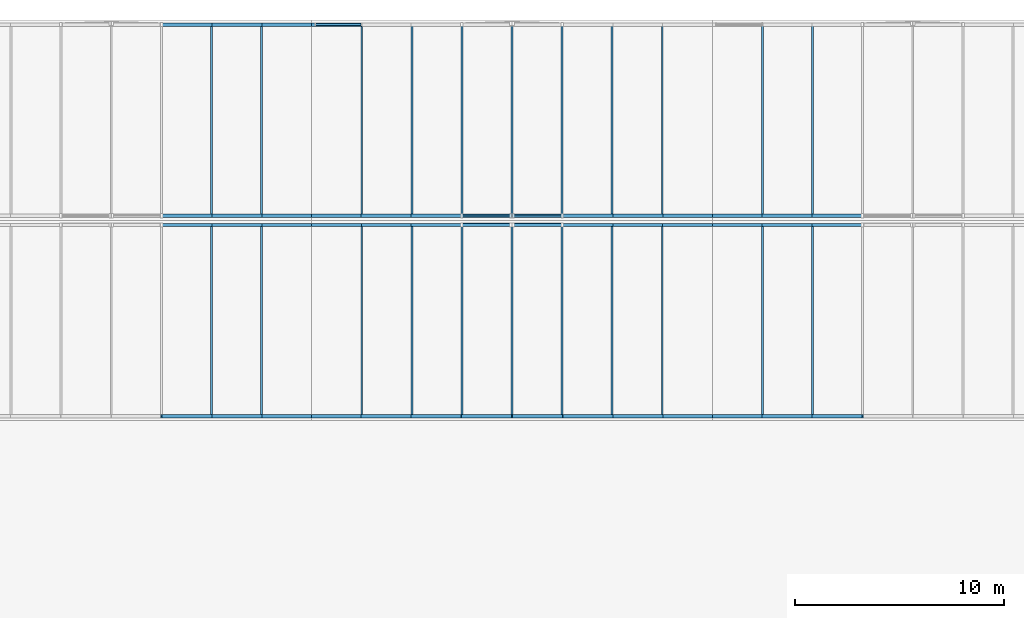
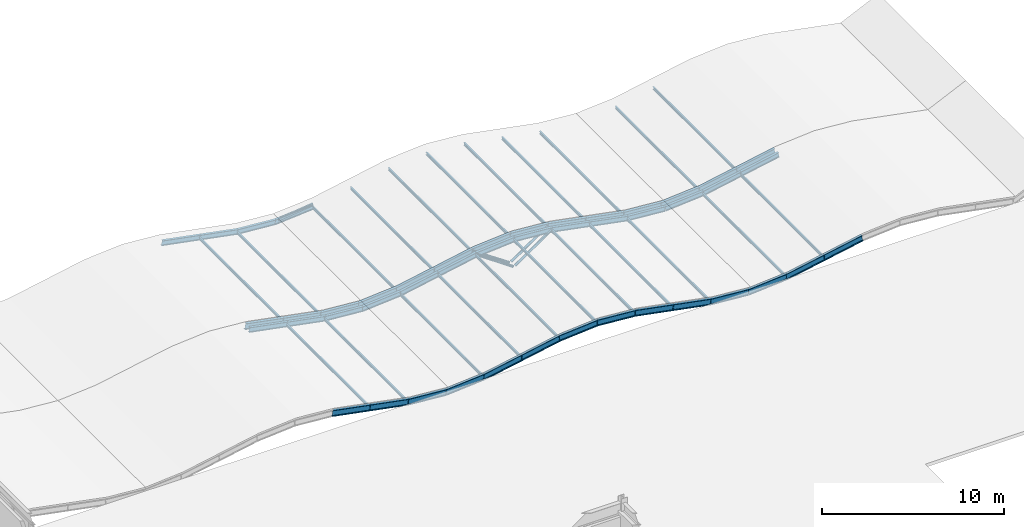
# One storey, part 129 of 170: 46 beams, 27 members.
"""IFC4 building model written with IfcOpenShell, lengths in metres."""

from ifc_helpers import new_model, si_unit, direction, frame, origin, origin_2d, place, context, subcontext, project, spatial, hollow_rectangle, hollow_circle, i_section, extrude, material, material_profile, profile_set, type_object, element, save


model = new_model("IFC4")

# Units and contexts
model_context = context("Model", 3, precision=1e-05, world=origin(), true_north=direction((0.0, 1.0)))
body_context = subcontext(model_context, "Body", "Model", "MODEL_VIEW")
ifc_project = project(units=[si_unit("LENGTHUNIT", "METRE"), si_unit("AREAUNIT", "SQUARE_METRE"), si_unit("VOLUMEUNIT", "CUBIC_METRE"), si_unit("PLANEANGLEUNIT", "RADIAN"), si_unit("MASSUNIT", "GRAM", prefix="KILO")], contexts=[model_context])

# Site, building, storey
site_placement = place(None, origin())
site = spatial("IfcSite", under=ifc_project, at=site_placement, CompositionType="ELEMENT")
building_placement = place(site_placement, origin())
building = spatial("IfcBuilding", under=site, at=building_placement, Name="Coralgate Yard Interchange", CompositionType="ELEMENT")
storey_placement = place(building_placement, frame((0.0, 0.0, 6.0)))
storey = spatial("IfcBuildingStorey", under=building, at=storey_placement, Name="L01", CompositionType="ELEMENT", Elevation=6.0)

# Beams
ifc_material_1 = material(Name="Off-white architectural structural steel S355J2", Category="steel")
ifc_material_profile_1 = material_profile(ifc_material_1, i_section(OverallWidth=0.179931640625, OverallDepth=0.39990234375, WebThickness=0.008544921875, FlangeThickness=0.013427734375, FilletRadius=0.02099609375, at=origin_2d()), Name="IPE 400")
ifc_profile_set_1 = profile_set([ifc_material_profile_1], Name="Off-white architectural structural steel S355J2")
beam_type_1 = type_object("IfcBeamType", Name="BM-WR-1", PredefinedType="BEAM", material=ifc_profile_set_1)
beam_1_placement = place(storey_placement, frame((127.199951171875, 96.219970703125, 0.90966796875), z_axis=(0.982146552954, 0.0, -0.188117379637), x_axis=(0.0, 1.0, 0.0)))
element("IfcBeam", 1, at=beam_1_placement, inside=storey, type_object=beam_type_1, Name="Wave-shell steel arch rib R1-W5-S6", PredefinedType="BEAM", context=body_context, shape_type="SweptSolid", body=[
    extrude(i_section(OverallWidth=0.179931640625, OverallDepth=0.39990234375, WebThickness=0.008544921875, FlangeThickness=0.013427734375, FilletRadius=0.02099609375, at=origin_2d()), origin(), (0.0, 0.0, 1.0), 2.44384765625),
])
beam_2_placement = place(storey_placement, frame((129.60009765625, 96.219970703125, 0.449951171875), z_axis=(0.98216147419, 0.0, -0.188039460267), x_axis=(0.0, 1.0, 0.0)))
element("IfcBeam", 2, at=beam_2_placement, inside=storey, type_object=beam_type_1, Name="Wave-shell steel arch rib R1-W5-S7", PredefinedType="BEAM", context=body_context, shape_type="SweptSolid", body=[
    extrude(i_section(OverallWidth=0.179931640625, OverallDepth=0.39990234375, WebThickness=0.008544921875, FlangeThickness=0.013427734375, FilletRadius=0.02099609375, at=origin_2d()), origin(), (0.0, 0.0, 1.0), 2.443603515625),
])
beam_3_placement = place(storey_placement, frame((132.0, 96.219970703125, -0.009521484375), z_axis=(0.996866661985, 0.0, -0.079100304817), x_axis=(0.0, 1.0, 0.0)))
element("IfcBeam", 3, at=beam_3_placement, inside=storey, type_object=beam_type_1, Name="Wave-shell steel arch rib R1-W5-S8", PredefinedType="BEAM", context=body_context, shape_type="SweptSolid", body=[
    extrude(i_section(OverallWidth=0.179931640625, OverallDepth=0.39990234375, WebThickness=0.008544921875, FlangeThickness=0.013427734375, FilletRadius=0.02099609375, at=origin_2d()), origin(), (0.0, 0.0, 1.0), 2.407470703125),
])
beam_4_placement = place(storey_placement, frame((134.39990234375, 96.219970703125, -0.199951171875), z_axis=(0.996867296401, 0.0, 0.079092309144), x_axis=(0.0, 1.0, 0.0)))
element("IfcBeam", 4, at=beam_4_placement, inside=storey, type_object=beam_type_1, Name="Wave-shell steel arch rib R1-W6-S1", PredefinedType="BEAM", context=body_context, shape_type="SweptSolid", body=[
    extrude(i_section(OverallWidth=0.179931640625, OverallDepth=0.39990234375, WebThickness=0.008544921875, FlangeThickness=0.013427734375, FilletRadius=0.02099609375, at=origin_2d()), origin(), (0.0, 0.0, 1.0), 2.40771484375),
])
beam_5_placement = place(storey_placement, frame((136.800048828125, 96.219970703125, -0.009521484375), z_axis=(0.98216147419, 0.0, 0.188039460267), x_axis=(0.0, 1.0, 0.0)))
element("IfcBeam", 5, at=beam_5_placement, inside=storey, type_object=beam_type_1, Name="Wave-shell steel arch rib R1-W6-S2", PredefinedType="BEAM", context=body_context, shape_type="SweptSolid", body=[
    extrude(i_section(OverallWidth=0.179931640625, OverallDepth=0.39990234375, WebThickness=0.008544921875, FlangeThickness=0.013427734375, FilletRadius=0.02099609375, at=origin_2d()), origin(), (0.0, 0.0, 1.0), 2.443603515625),
])
beam_6_placement = place(storey_placement, frame((139.199951171875, 96.219970703125, 0.449951171875), z_axis=(0.982146552954, 0.0, 0.188117379637), x_axis=(0.0, 1.0, 0.0)))
element("IfcBeam", 6, at=beam_6_placement, inside=storey, type_object=beam_type_1, Name="Wave-shell steel arch rib R1-W6-S3", PredefinedType="BEAM", context=body_context, shape_type="SweptSolid", body=[
    extrude(i_section(OverallWidth=0.179931640625, OverallDepth=0.39990234375, WebThickness=0.008544921875, FlangeThickness=0.013427734375, FilletRadius=0.02099609375, at=origin_2d()), origin(), (0.0, 0.0, 1.0), 2.44384765625),
])
for number, where, z_axis, x_axis, name in (
    (7, (141.60009765625, 96.219970703125, 0.90966796875), (0.996866661985, 0.0, 0.079100304817), (0.0, 1.0, 0.0), "Wave-shell steel arch rib R1-W6-S4"),
    (8, (144.0, 96.219970703125, 1.10009765625), (0.996866661985, 0.0, -0.079100304817), (0.0, 1.0, 0.0), "Wave-shell steel arch rib R1-W6-S5"),
):
    element("IfcBeam", number, at=place(storey_placement, frame(where, z_axis=z_axis, x_axis=x_axis)), inside=storey, type_object=beam_type_1, Name=name, PredefinedType="BEAM", context=body_context, shape_type="SweptSolid", body=[
        extrude(i_section(OverallWidth=0.179931640625, OverallDepth=0.39990234375, WebThickness=0.008544921875, FlangeThickness=0.013427734375, FilletRadius=0.02099609375, at=origin_2d()), origin(), (0.0, 0.0, 1.0), 2.407470703125),
    ])
beam_7_placement = place(storey_placement, frame((146.39990234375, 96.219970703125, 0.90966796875), z_axis=(0.982146552954, 0.0, -0.188117379637), x_axis=(0.0, 1.0, 0.0)))
element("IfcBeam", 9, at=beam_7_placement, inside=storey, type_object=beam_type_1, Name="Wave-shell steel arch rib R1-W6-S6", PredefinedType="BEAM", context=body_context, shape_type="SweptSolid", body=[
    extrude(i_section(OverallWidth=0.179931640625, OverallDepth=0.39990234375, WebThickness=0.008544921875, FlangeThickness=0.013427734375, FilletRadius=0.02099609375, at=origin_2d()), origin(), (0.0, 0.0, 1.0), 2.44384765625),
])
beam_8_placement = place(storey_placement, frame((148.800048828125, 96.219970703125, 0.449951171875), z_axis=(0.98216147419, 0.0, -0.188039460267), x_axis=(0.0, 1.0, 0.0)))
element("IfcBeam", 10, at=beam_8_placement, inside=storey, type_object=beam_type_1, Name="Wave-shell steel arch rib R1-W6-S7", PredefinedType="BEAM", context=body_context, shape_type="SweptSolid", body=[
    extrude(i_section(OverallWidth=0.179931640625, OverallDepth=0.39990234375, WebThickness=0.008544921875, FlangeThickness=0.013427734375, FilletRadius=0.02099609375, at=origin_2d()), origin(), (0.0, 0.0, 1.0), 2.443603515625),
])
beam_9_placement = place(storey_placement, frame((151.199951171875, 96.219970703125, -0.009521484375), z_axis=(0.996867296401, 0.0, -0.079092309144), x_axis=(0.0, 1.0, 0.0)))
element("IfcBeam", 11, at=beam_9_placement, inside=storey, type_object=beam_type_1, Name="Wave-shell steel arch rib R1-W6-S8", PredefinedType="BEAM", context=body_context, shape_type="SweptSolid", body=[
    extrude(i_section(OverallWidth=0.179931640625, OverallDepth=0.39990234375, WebThickness=0.008544921875, FlangeThickness=0.013427734375, FilletRadius=0.02099609375, at=origin_2d()), origin(), (0.0, 0.0, 1.0), 2.40771484375),
])
beam_10_placement = place(storey_placement, frame((153.60009765625, 96.219970703125, -0.199951171875), z_axis=(0.996866661985, 0.0, 0.079100304817), x_axis=(0.0, 1.0, 0.0)))
element("IfcBeam", 12, at=beam_10_placement, inside=storey, type_object=beam_type_1, Name="Wave-shell steel arch rib R1-W7-S1", PredefinedType="BEAM", context=body_context, shape_type="SweptSolid", body=[
    extrude(i_section(OverallWidth=0.179931640625, OverallDepth=0.39990234375, WebThickness=0.008544921875, FlangeThickness=0.013427734375, FilletRadius=0.02099609375, at=origin_2d()), origin(), (0.0, 0.0, 1.0), 2.407470703125),
])
beam_11_placement = place(storey_placement, frame((156.0, 96.219970703125, -0.009521484375), z_axis=(0.98216147419, 0.0, 0.188039460267), x_axis=(0.0, 1.0, 0.0)))
element("IfcBeam", 13, at=beam_11_placement, inside=storey, type_object=beam_type_1, Name="Wave-shell steel arch rib R1-W7-S2", PredefinedType="BEAM", context=body_context, shape_type="SweptSolid", body=[
    extrude(i_section(OverallWidth=0.179931640625, OverallDepth=0.39990234375, WebThickness=0.008544921875, FlangeThickness=0.013427734375, FilletRadius=0.02099609375, at=origin_2d()), origin(), (0.0, 0.0, 1.0), 2.443603515625),
])
for number, where, z_axis, x_axis, name in (
    (14, (158.39990234375, 96.219970703125, 0.449951171875), (0.982146552954, 0.0, 0.188117379637), (0.0, 1.0, 0.0), "Wave-shell steel arch rib R1-W7-S3"),
    (15, (127.199951171875, 105.820068359375, 0.90966796875), (0.982146552954, 0.0, -0.188117379637), (0.0, 1.0, 0.0), "Wave-shell steel arch rib R2-W5-S6"),
):
    element("IfcBeam", number, at=place(storey_placement, frame(where, z_axis=z_axis, x_axis=x_axis)), inside=storey, type_object=beam_type_1, Name=name, PredefinedType="BEAM", context=body_context, shape_type="SweptSolid", body=[
        extrude(i_section(OverallWidth=0.179931640625, OverallDepth=0.39990234375, WebThickness=0.008544921875, FlangeThickness=0.013427734375, FilletRadius=0.02099609375, at=origin_2d()), origin(), (0.0, 0.0, 1.0), 2.44384765625),
    ])
beam_12_placement = place(storey_placement, frame((129.60009765625, 105.820068359375, 0.449951171875), z_axis=(0.98216147419, 0.0, -0.188039460267), x_axis=(0.0, 1.0, 0.0)))
element("IfcBeam", 16, at=beam_12_placement, inside=storey, type_object=beam_type_1, Name="Wave-shell steel arch rib R2-W5-S7", PredefinedType="BEAM", context=body_context, shape_type="SweptSolid", body=[
    extrude(i_section(OverallWidth=0.179931640625, OverallDepth=0.39990234375, WebThickness=0.008544921875, FlangeThickness=0.013427734375, FilletRadius=0.02099609375, at=origin_2d()), origin(), (0.0, 0.0, 1.0), 2.443603515625),
])
beam_13_placement = place(storey_placement, frame((132.0, 105.820068359375, -0.009521484375), z_axis=(0.996866661985, 0.0, -0.079100304817), x_axis=(0.0, 1.0, 0.0)))
element("IfcBeam", 17, at=beam_13_placement, inside=storey, type_object=beam_type_1, Name="Wave-shell steel arch rib R2-W5-S8", PredefinedType="BEAM", context=body_context, shape_type="SweptSolid", body=[
    extrude(i_section(OverallWidth=0.179931640625, OverallDepth=0.39990234375, WebThickness=0.008544921875, FlangeThickness=0.013427734375, FilletRadius=0.02099609375, at=origin_2d()), origin(), (0.0, 0.0, 1.0), 2.407470703125),
])
beam_14_placement = place(storey_placement, frame((134.39990234375, 105.820068359375, -0.199951171875), z_axis=(0.996867296401, 0.0, 0.079092309144), x_axis=(0.0, 1.0, 0.0)))
element("IfcBeam", 18, at=beam_14_placement, inside=storey, type_object=beam_type_1, Name="Wave-shell steel arch rib R2-W6-S1", PredefinedType="BEAM", context=body_context, shape_type="SweptSolid", body=[
    extrude(i_section(OverallWidth=0.179931640625, OverallDepth=0.39990234375, WebThickness=0.008544921875, FlangeThickness=0.013427734375, FilletRadius=0.02099609375, at=origin_2d()), origin(), (0.0, 0.0, 1.0), 2.40771484375),
])
beam_15_placement = place(storey_placement, frame((136.800048828125, 105.820068359375, -0.009521484375), z_axis=(0.98216147419, 0.0, 0.188039460267), x_axis=(0.0, 1.0, 0.0)))
element("IfcBeam", 19, at=beam_15_placement, inside=storey, type_object=beam_type_1, Name="Wave-shell steel arch rib R2-W6-S2", PredefinedType="BEAM", context=body_context, shape_type="SweptSolid", body=[
    extrude(i_section(OverallWidth=0.179931640625, OverallDepth=0.39990234375, WebThickness=0.008544921875, FlangeThickness=0.013427734375, FilletRadius=0.02099609375, at=origin_2d()), origin(), (0.0, 0.0, 1.0), 2.443603515625),
])
beam_16_placement = place(storey_placement, frame((139.199951171875, 105.820068359375, 0.449951171875), z_axis=(0.982146552954, 0.0, 0.188117379637), x_axis=(0.0, 1.0, 0.0)))
element("IfcBeam", 20, at=beam_16_placement, inside=storey, type_object=beam_type_1, Name="Wave-shell steel arch rib R2-W6-S3", PredefinedType="BEAM", context=body_context, shape_type="SweptSolid", body=[
    extrude(i_section(OverallWidth=0.179931640625, OverallDepth=0.39990234375, WebThickness=0.008544921875, FlangeThickness=0.013427734375, FilletRadius=0.02099609375, at=origin_2d()), origin(), (0.0, 0.0, 1.0), 2.44384765625),
])
for number, where, z_axis, x_axis, name in (
    (21, (141.60009765625, 105.820068359375, 0.90966796875), (0.996866661985, 0.0, 0.079100304817), (0.0, 1.0, 0.0), "Wave-shell steel arch rib R2-W6-S4"),
    (22, (144.0, 105.820068359375, 1.10009765625), (0.996866661985, 0.0, -0.079100304817), (0.0, 1.0, 0.0), "Wave-shell steel arch rib R2-W6-S5"),
):
    element("IfcBeam", number, at=place(storey_placement, frame(where, z_axis=z_axis, x_axis=x_axis)), inside=storey, type_object=beam_type_1, Name=name, PredefinedType="BEAM", context=body_context, shape_type="SweptSolid", body=[
        extrude(i_section(OverallWidth=0.179931640625, OverallDepth=0.39990234375, WebThickness=0.008544921875, FlangeThickness=0.013427734375, FilletRadius=0.02099609375, at=origin_2d()), origin(), (0.0, 0.0, 1.0), 2.407470703125),
    ])
beam_17_placement = place(storey_placement, frame((146.39990234375, 105.820068359375, 0.90966796875), z_axis=(0.982146552954, 0.0, -0.188117379637), x_axis=(0.0, 1.0, 0.0)))
element("IfcBeam", 23, at=beam_17_placement, inside=storey, type_object=beam_type_1, Name="Wave-shell steel arch rib R2-W6-S6", PredefinedType="BEAM", context=body_context, shape_type="SweptSolid", body=[
    extrude(i_section(OverallWidth=0.179931640625, OverallDepth=0.39990234375, WebThickness=0.008544921875, FlangeThickness=0.013427734375, FilletRadius=0.02099609375, at=origin_2d()), origin(), (0.0, 0.0, 1.0), 2.44384765625),
])
beam_18_placement = place(storey_placement, frame((148.800048828125, 105.820068359375, 0.449951171875), z_axis=(0.98216147419, 0.0, -0.188039460267), x_axis=(0.0, 1.0, 0.0)))
element("IfcBeam", 24, at=beam_18_placement, inside=storey, type_object=beam_type_1, Name="Wave-shell steel arch rib R2-W6-S7", PredefinedType="BEAM", context=body_context, shape_type="SweptSolid", body=[
    extrude(i_section(OverallWidth=0.179931640625, OverallDepth=0.39990234375, WebThickness=0.008544921875, FlangeThickness=0.013427734375, FilletRadius=0.02099609375, at=origin_2d()), origin(), (0.0, 0.0, 1.0), 2.443603515625),
])
beam_19_placement = place(storey_placement, frame((151.199951171875, 105.820068359375, -0.009521484375), z_axis=(0.996867296401, 0.0, -0.079092309144), x_axis=(0.0, 1.0, 0.0)))
element("IfcBeam", 25, at=beam_19_placement, inside=storey, type_object=beam_type_1, Name="Wave-shell steel arch rib R2-W6-S8", PredefinedType="BEAM", context=body_context, shape_type="SweptSolid", body=[
    extrude(i_section(OverallWidth=0.179931640625, OverallDepth=0.39990234375, WebThickness=0.008544921875, FlangeThickness=0.013427734375, FilletRadius=0.02099609375, at=origin_2d()), origin(), (0.0, 0.0, 1.0), 2.40771484375),
])
beam_20_placement = place(storey_placement, frame((153.60009765625, 105.820068359375, -0.199951171875), z_axis=(0.996866661985, 0.0, 0.079100304817), x_axis=(0.0, 1.0, 0.0)))
element("IfcBeam", 26, at=beam_20_placement, inside=storey, type_object=beam_type_1, Name="Wave-shell steel arch rib R2-W7-S1", PredefinedType="BEAM", context=body_context, shape_type="SweptSolid", body=[
    extrude(i_section(OverallWidth=0.179931640625, OverallDepth=0.39990234375, WebThickness=0.008544921875, FlangeThickness=0.013427734375, FilletRadius=0.02099609375, at=origin_2d()), origin(), (0.0, 0.0, 1.0), 2.407470703125),
])
beam_21_placement = place(storey_placement, frame((156.0, 105.820068359375, -0.009521484375), z_axis=(0.98216147419, 0.0, 0.188039460267), x_axis=(0.0, 1.0, 0.0)))
element("IfcBeam", 27, at=beam_21_placement, inside=storey, type_object=beam_type_1, Name="Wave-shell steel arch rib R2-W7-S2", PredefinedType="BEAM", context=body_context, shape_type="SweptSolid", body=[
    extrude(i_section(OverallWidth=0.179931640625, OverallDepth=0.39990234375, WebThickness=0.008544921875, FlangeThickness=0.013427734375, FilletRadius=0.02099609375, at=origin_2d()), origin(), (0.0, 0.0, 1.0), 2.443603515625),
])
beam_22_placement = place(storey_placement, frame((158.39990234375, 105.820068359375, 0.449951171875), z_axis=(0.982146552954, 0.0, 0.188117379637), x_axis=(0.0, 1.0, 0.0)))
element("IfcBeam", 28, at=beam_22_placement, inside=storey, type_object=beam_type_1, Name="Wave-shell steel arch rib R2-W7-S3", PredefinedType="BEAM", context=body_context, shape_type="SweptSolid", body=[
    extrude(i_section(OverallWidth=0.179931640625, OverallDepth=0.39990234375, WebThickness=0.008544921875, FlangeThickness=0.013427734375, FilletRadius=0.02099609375, at=origin_2d()), origin(), (0.0, 0.0, 1.0), 2.44384765625),
])
ifc_material_profile_2 = material_profile(ifc_material_1, i_section(OverallWidth=0.159912109375, OverallDepth=0.330078125, WebThickness=0.007568359375, FlangeThickness=0.011474609375, FilletRadius=0.01806640625, at=origin_2d()), Name="IPE 330")
ifc_profile_set_2 = profile_set([ifc_material_profile_2], Name="Off-white architectural structural steel S355J2")
beam_type_2 = type_object("IfcBeamType", Name="BM-WR-2", PredefinedType="BEAM", material=ifc_profile_set_2)
beam_23_placement = place(storey_placement, frame((127.199951171875, 105.3798828125, 0.944580078125), z_axis=(0.982165006537, 0.0, -0.188021009287), x_axis=(0.0, 1.0, 0.0)))
element("IfcBeam", 29, at=beam_23_placement, inside=storey, type_object=beam_type_2, Name="Wave-shell steel arch rib R1-W5-N6", PredefinedType="BEAM", context=body_context, shape_type="SweptSolid", body=[
    extrude(i_section(OverallWidth=0.159912109375, OverallDepth=0.330078125, WebThickness=0.007568359375, FlangeThickness=0.011474609375, FilletRadius=0.01806640625, at=origin_2d()), origin(), (0.0, 0.0, 1.0), 2.44384765625),
])
beam_24_placement = place(storey_placement, frame((129.60009765625, 105.3798828125, 0.485107421875), z_axis=(0.98214301705, 0.0, -0.18813583938), x_axis=(0.0, 1.0, 0.0)))
element("IfcBeam", 30, at=beam_24_placement, inside=storey, type_object=beam_type_2, Name="Wave-shell steel arch rib R1-W5-N7", PredefinedType="BEAM", context=body_context, shape_type="SweptSolid", body=[
    extrude(i_section(OverallWidth=0.159912109375, OverallDepth=0.330078125, WebThickness=0.007568359375, FlangeThickness=0.011474609375, FilletRadius=0.01806640625, at=origin_2d()), origin(), (0.0, 0.0, 1.0), 2.443603515625),
])
beam_25_placement = place(storey_placement, frame((132.0, 105.3798828125, 0.025390625), z_axis=(0.996866661985, 0.0, -0.079100304817), x_axis=(0.0, 1.0, 0.0)))
element("IfcBeam", 31, at=beam_25_placement, inside=storey, type_object=beam_type_2, Name="Wave-shell steel arch rib R1-W5-N8", PredefinedType="BEAM", context=body_context, shape_type="SweptSolid", body=[
    extrude(i_section(OverallWidth=0.159912109375, OverallDepth=0.330078125, WebThickness=0.007568359375, FlangeThickness=0.011474609375, FilletRadius=0.01806640625, at=origin_2d()), origin(), (0.0, 0.0, 1.0), 2.407470703125),
])
beam_26_placement = place(storey_placement, frame((134.39990234375, 105.3798828125, -0.1650390625), z_axis=(0.996867296401, 0.0, 0.079092309144), x_axis=(0.0, 1.0, 0.0)))
element("IfcBeam", 32, at=beam_26_placement, inside=storey, type_object=beam_type_2, Name="Wave-shell steel arch rib R1-W6-N1", PredefinedType="BEAM", context=body_context, shape_type="SweptSolid", body=[
    extrude(i_section(OverallWidth=0.159912109375, OverallDepth=0.330078125, WebThickness=0.007568359375, FlangeThickness=0.011474609375, FilletRadius=0.01806640625, at=origin_2d()), origin(), (0.0, 0.0, 1.0), 2.40771484375),
])
beam_27_placement = place(storey_placement, frame((136.800048828125, 105.3798828125, 0.025390625), z_axis=(0.98214301705, 0.0, 0.18813583938), x_axis=(0.0, 1.0, 0.0)))
element("IfcBeam", 33, at=beam_27_placement, inside=storey, type_object=beam_type_2, Name="Wave-shell steel arch rib R1-W6-N2", PredefinedType="BEAM", context=body_context, shape_type="SweptSolid", body=[
    extrude(i_section(OverallWidth=0.159912109375, OverallDepth=0.330078125, WebThickness=0.007568359375, FlangeThickness=0.011474609375, FilletRadius=0.01806640625, at=origin_2d()), origin(), (0.0, 0.0, 1.0), 2.443603515625),
])
beam_28_placement = place(storey_placement, frame((139.199951171875, 105.3798828125, 0.485107421875), z_axis=(0.982165006537, 0.0, 0.188021009287), x_axis=(0.0, 1.0, 0.0)))
element("IfcBeam", 34, at=beam_28_placement, inside=storey, type_object=beam_type_2, Name="Wave-shell steel arch rib R1-W6-N3", PredefinedType="BEAM", context=body_context, shape_type="SweptSolid", body=[
    extrude(i_section(OverallWidth=0.159912109375, OverallDepth=0.330078125, WebThickness=0.007568359375, FlangeThickness=0.011474609375, FilletRadius=0.01806640625, at=origin_2d()), origin(), (0.0, 0.0, 1.0), 2.44384765625),
])
for number, where, z_axis, x_axis, name in (
    (35, (141.60009765625, 105.3798828125, 0.944580078125), (0.996866661985, 0.0, 0.079100304817), (0.0, 1.0, 0.0), "Wave-shell steel arch rib R1-W6-N4"),
    (36, (144.0, 105.3798828125, 1.135009765625), (0.996866661985, 0.0, -0.079100304817), (0.0, 1.0, 0.0), "Wave-shell steel arch rib R1-W6-N5"),
):
    element("IfcBeam", number, at=place(storey_placement, frame(where, z_axis=z_axis, x_axis=x_axis)), inside=storey, type_object=beam_type_2, Name=name, PredefinedType="BEAM", context=body_context, shape_type="SweptSolid", body=[
        extrude(i_section(OverallWidth=0.159912109375, OverallDepth=0.330078125, WebThickness=0.007568359375, FlangeThickness=0.011474609375, FilletRadius=0.01806640625, at=origin_2d()), origin(), (0.0, 0.0, 1.0), 2.407470703125),
    ])
beam_29_placement = place(storey_placement, frame((146.39990234375, 105.3798828125, 0.944580078125), z_axis=(0.982165006537, 0.0, -0.188021009287), x_axis=(0.0, 1.0, 0.0)))
element("IfcBeam", 37, at=beam_29_placement, inside=storey, type_object=beam_type_2, Name="Wave-shell steel arch rib R1-W6-N6", PredefinedType="BEAM", context=body_context, shape_type="SweptSolid", body=[
    extrude(i_section(OverallWidth=0.159912109375, OverallDepth=0.330078125, WebThickness=0.007568359375, FlangeThickness=0.011474609375, FilletRadius=0.01806640625, at=origin_2d()), origin(), (0.0, 0.0, 1.0), 2.44384765625),
])
beam_30_placement = place(storey_placement, frame((148.800048828125, 105.3798828125, 0.485107421875), z_axis=(0.98214301705, 0.0, -0.18813583938), x_axis=(0.0, 1.0, 0.0)))
element("IfcBeam", 38, at=beam_30_placement, inside=storey, type_object=beam_type_2, Name="Wave-shell steel arch rib R1-W6-N7", PredefinedType="BEAM", context=body_context, shape_type="SweptSolid", body=[
    extrude(i_section(OverallWidth=0.159912109375, OverallDepth=0.330078125, WebThickness=0.007568359375, FlangeThickness=0.011474609375, FilletRadius=0.01806640625, at=origin_2d()), origin(), (0.0, 0.0, 1.0), 2.443603515625),
])
beam_31_placement = place(storey_placement, frame((151.199951171875, 105.3798828125, 0.025390625), z_axis=(0.996867296401, 0.0, -0.079092309144), x_axis=(0.0, 1.0, 0.0)))
element("IfcBeam", 39, at=beam_31_placement, inside=storey, type_object=beam_type_2, Name="Wave-shell steel arch rib R1-W6-N8", PredefinedType="BEAM", context=body_context, shape_type="SweptSolid", body=[
    extrude(i_section(OverallWidth=0.159912109375, OverallDepth=0.330078125, WebThickness=0.007568359375, FlangeThickness=0.011474609375, FilletRadius=0.01806640625, at=origin_2d()), origin(), (0.0, 0.0, 1.0), 2.40771484375),
])
beam_32_placement = place(storey_placement, frame((153.60009765625, 105.3798828125, -0.1650390625), z_axis=(0.996866661985, 0.0, 0.079100304817), x_axis=(0.0, 1.0, 0.0)))
element("IfcBeam", 40, at=beam_32_placement, inside=storey, type_object=beam_type_2, Name="Wave-shell steel arch rib R1-W7-N1", PredefinedType="BEAM", context=body_context, shape_type="SweptSolid", body=[
    extrude(i_section(OverallWidth=0.159912109375, OverallDepth=0.330078125, WebThickness=0.007568359375, FlangeThickness=0.011474609375, FilletRadius=0.01806640625, at=origin_2d()), origin(), (0.0, 0.0, 1.0), 2.407470703125),
])
beam_33_placement = place(storey_placement, frame((156.0, 105.3798828125, 0.025390625), z_axis=(0.98214301705, 0.0, 0.18813583938), x_axis=(0.0, 1.0, 0.0)))
element("IfcBeam", 41, at=beam_33_placement, inside=storey, type_object=beam_type_2, Name="Wave-shell steel arch rib R1-W7-N2", PredefinedType="BEAM", context=body_context, shape_type="SweptSolid", body=[
    extrude(i_section(OverallWidth=0.159912109375, OverallDepth=0.330078125, WebThickness=0.007568359375, FlangeThickness=0.011474609375, FilletRadius=0.01806640625, at=origin_2d()), origin(), (0.0, 0.0, 1.0), 2.443603515625),
])
for number, where, z_axis, x_axis, name in (
    (42, (158.39990234375, 105.3798828125, 0.485107421875), (0.982165006537, 0.0, 0.188021009287), (0.0, 1.0, 0.0), "Wave-shell steel arch rib R1-W7-N3"),
    (43, (127.199951171875, 114.97998046875, 0.944580078125), (0.982165006537, 0.0, -0.188021009287), (0.0, 1.0, 0.0), "Wave-shell steel arch rib R2-W5-N6"),
):
    element("IfcBeam", number, at=place(storey_placement, frame(where, z_axis=z_axis, x_axis=x_axis)), inside=storey, type_object=beam_type_2, Name=name, PredefinedType="BEAM", context=body_context, shape_type="SweptSolid", body=[
        extrude(i_section(OverallWidth=0.159912109375, OverallDepth=0.330078125, WebThickness=0.007568359375, FlangeThickness=0.011474609375, FilletRadius=0.01806640625, at=origin_2d()), origin(), (0.0, 0.0, 1.0), 2.44384765625),
    ])
beam_34_placement = place(storey_placement, frame((129.60009765625, 114.97998046875, 0.485107421875), z_axis=(0.98214301705, 0.0, -0.18813583938), x_axis=(0.0, 1.0, 0.0)))
element("IfcBeam", 44, at=beam_34_placement, inside=storey, type_object=beam_type_2, Name="Wave-shell steel arch rib R2-W5-N7", PredefinedType="BEAM", context=body_context, shape_type="SweptSolid", body=[
    extrude(i_section(OverallWidth=0.159912109375, OverallDepth=0.330078125, WebThickness=0.007568359375, FlangeThickness=0.011474609375, FilletRadius=0.01806640625, at=origin_2d()), origin(), (0.0, 0.0, 1.0), 2.443603515625),
])
beam_35_placement = place(storey_placement, frame((132.0, 114.97998046875, 0.025390625), z_axis=(0.996866661985, 0.0, -0.079100304817), x_axis=(0.0, 1.0, 0.0)))
element("IfcBeam", 45, at=beam_35_placement, inside=storey, type_object=beam_type_2, Name="Wave-shell steel arch rib R2-W5-N8", PredefinedType="BEAM", context=body_context, shape_type="SweptSolid", body=[
    extrude(i_section(OverallWidth=0.159912109375, OverallDepth=0.330078125, WebThickness=0.007568359375, FlangeThickness=0.011474609375, FilletRadius=0.01806640625, at=origin_2d()), origin(), (0.0, 0.0, 1.0), 2.407470703125),
])
beam_36_placement = place(storey_placement, frame((134.39990234375, 114.97998046875, -0.1650390625), z_axis=(0.996867296401, 0.0, 0.079092309144), x_axis=(0.0, 1.0, 0.0)))
element("IfcBeam", 46, at=beam_36_placement, inside=storey, type_object=beam_type_2, Name="Wave-shell steel arch rib R2-W6-N1", PredefinedType="BEAM", context=body_context, shape_type="SweptSolid", body=[
    extrude(i_section(OverallWidth=0.159912109375, OverallDepth=0.330078125, WebThickness=0.007568359375, FlangeThickness=0.011474609375, FilletRadius=0.01806640625, at=origin_2d()), origin(), (0.0, 0.0, 1.0), 2.40771484375),
])

# Members
ifc_material_2 = material(Name="Yellow-ochre weather-coated structural steel S355J2", Category="steel")
ifc_material_profile_3 = material_profile(ifc_material_2, hollow_circle(Radius=0.084228515625, WallThickness=0.008056640625, at=origin_2d()), Name="CHS 168.3x8")
ifc_profile_set_3 = profile_set([ifc_material_profile_3], Name="Yellow-ochre weather-coated structural steel S355J2")
member_type_1 = type_object("IfcMemberType", Name="MB-HG-2", PredefinedType="STRUT", material=ifc_profile_set_3)
for number, where, z_axis, x_axis, name in (
    (47, (143.93994140625, 105.3798828125, -0.679931640625), (-0.821432424161, 0.0, 0.570305858761), (0.0, -1.0, 0.0), "Wave-shell inclined V-strut WVBR-R1-W6-N-L"),
    (48, (144.06005859375, 105.3798828125, -0.679931640625), (0.821432424161, 0.0, 0.570305858761), (0.0, 1.0, 0.0), "Wave-shell inclined V-strut WVBR-R1-W6-N-R"),
):
    element("IfcMember", number, at=place(storey_placement, frame(where, z_axis=z_axis, x_axis=x_axis)), inside=storey, type_object=member_type_1, Name=name, PredefinedType="STRUT", context=body_context, shape_type="SweptSolid", body=[
        extrude(hollow_circle(Radius=0.084228515625, WallThickness=0.008056640625, at=origin_2d()), origin(), (0.0, 0.0, 1.0), 2.848388671875),
    ])
for number, where, z_axis, x_axis, name in (
    (49, (143.93994140625, 105.820068359375, -0.679931640625), (-0.827172031576, 0.0, 0.561948778964), (0.0, -1.0, 0.0), "Wave-shell inclined V-strut WVBR-R2-W6-S-L"),
    (50, (144.06005859375, 105.820068359375, -0.679931640625), (0.827172031576, 0.0, 0.561948778964), (0.0, 1.0, 0.0), "Wave-shell inclined V-strut WVBR-R2-W6-S-R"),
):
    element("IfcMember", number, at=place(storey_placement, frame(where, z_axis=z_axis, x_axis=x_axis)), inside=storey, type_object=member_type_1, Name=name, PredefinedType="STRUT", context=body_context, shape_type="SweptSolid", body=[
        extrude(hollow_circle(Radius=0.084228515625, WallThickness=0.008056640625, at=origin_2d()), origin(), (0.0, 0.0, 1.0), 2.82861328125),
    ])
ifc_material_profile_4 = material_profile(ifc_material_1, i_section(OverallWidth=0.091064453125, OverallDepth=0.179931640625, WebThickness=0.00537109375, FlangeThickness=0.008056640625, FilletRadius=0.009033203125, at=origin_2d()), Name="IPE 180")
ifc_profile_set_4 = profile_set([ifc_material_profile_4], Name="Off-white architectural structural steel S355J2")
member_type_2 = type_object("IfcMemberType", Name="MB-PR-2", PredefinedType="PURLIN", material=ifc_profile_set_4)
for number, where, z_axis, x_axis, name in (
    (51, (129.60009765625, 96.199951171875, 0.409912109375), (0.0, 1.0, 0.0), (-1.0, 0.0, 0.0), "Wave-shell purlin R1-W5-7"),
    (52, (132.0, 96.199951171875, -0.049560546875), (0.0, 1.0, 0.0), (-1.0, 0.0, 0.0), "Wave-shell purlin R1-W5-8"),
    (53, (136.800048828125, 96.199951171875, -0.049560546875), (0.0, 1.0, 0.0), (-1.0, 0.0, 0.0), "Wave-shell purlin R1-W6-2"),
    (54, (139.199951171875, 96.199951171875, 0.409912109375), (0.0, 1.0, 0.0), (-1.0, 0.0, 0.0), "Wave-shell purlin R1-W6-3"),
    (55, (141.60009765625, 96.199951171875, 0.86962890625), (0.0, 1.0, 0.0), (-1.0, 0.0, 0.0), "Wave-shell purlin R1-W6-4"),
    (56, (144.0, 96.199951171875, 1.06005859375), (0.0, 1.0, 0.0), (-1.0, 0.0, 0.0), "Wave-shell purlin R1-W6-5"),
    (57, (146.39990234375, 96.199951171875, 0.86962890625), (0.0, 1.0, 0.0), (-1.0, 0.0, 0.0), "Wave-shell purlin R1-W6-6"),
    (58, (148.800048828125, 96.199951171875, 0.409912109375), (0.0, 1.0, 0.0), (-1.0, 0.0, 0.0), "Wave-shell purlin R1-W6-7"),
    (59, (151.199951171875, 96.199951171875, -0.049560546875), (0.0, 1.0, 0.0), (-1.0, 0.0, 0.0), "Wave-shell purlin R1-W6-8"),
    (60, (156.0, 96.199951171875, -0.049560546875), (0.0, 1.0, 0.0), (-1.0, 0.0, 0.0), "Wave-shell purlin R1-W7-2"),
    (61, (158.39990234375, 96.199951171875, 0.409912109375), (0.0, 1.0, 0.0), (-1.0, 0.0, 0.0), "Wave-shell purlin R1-W7-3"),
    (62, (129.60009765625, 105.800048828125, 0.409912109375), (0.0, 1.0, 0.0), (-1.0, 0.0, 0.0), "Wave-shell purlin R2-W5-7"),
    (63, (132.0, 105.800048828125, -0.049560546875), (0.0, 1.0, 0.0), (-1.0, 0.0, 0.0), "Wave-shell purlin R2-W5-8"),
    (64, (136.800048828125, 105.800048828125, -0.049560546875), (0.0, 1.0, 0.0), (-1.0, 0.0, 0.0), "Wave-shell purlin R2-W6-2"),
    (65, (139.199951171875, 105.800048828125, 0.409912109375), (0.0, 1.0, 0.0), (-1.0, 0.0, 0.0), "Wave-shell purlin R2-W6-3"),
    (66, (141.60009765625, 105.800048828125, 0.86962890625), (0.0, 1.0, 0.0), (-1.0, 0.0, 0.0), "Wave-shell purlin R2-W6-4"),
    (67, (144.0, 105.800048828125, 1.06005859375), (0.0, 1.0, 0.0), (-1.0, 0.0, 0.0), "Wave-shell purlin R2-W6-5"),
    (68, (146.39990234375, 105.800048828125, 0.86962890625), (0.0, 1.0, 0.0), (-1.0, 0.0, 0.0), "Wave-shell purlin R2-W6-6"),
    (69, (148.800048828125, 105.800048828125, 0.409912109375), (0.0, 1.0, 0.0), (-1.0, 0.0, 0.0), "Wave-shell purlin R2-W6-7"),
    (70, (151.199951171875, 105.800048828125, -0.049560546875), (0.0, 1.0, 0.0), (-1.0, 0.0, 0.0), "Wave-shell purlin R2-W6-8"),
    (71, (156.0, 105.800048828125, -0.049560546875), (0.0, 1.0, 0.0), (-1.0, 0.0, 0.0), "Wave-shell purlin R2-W7-2"),
    (72, (158.39990234375, 105.800048828125, 0.409912109375), (0.0, 1.0, 0.0), (-1.0, 0.0, 0.0), "Wave-shell purlin R2-W7-3"),
):
    element("IfcMember", number, at=place(storey_placement, frame(where, z_axis=z_axis, x_axis=x_axis)), inside=storey, type_object=member_type_2, Name=name, PredefinedType="PURLIN", context=body_context, shape_type="SweptSolid", body=[
        extrude(i_section(OverallWidth=0.091064453125, OverallDepth=0.179931640625, WebThickness=0.00537109375, FlangeThickness=0.008056640625, FilletRadius=0.009033203125, at=origin_2d()), origin(), (0.0, 0.0, 1.0), 9.199951171875),
    ])
ifc_material_3 = material(Name="Weather-coated structural steel S355J2", Category="steel")
ifc_material_profile_5 = material_profile(ifc_material_3, hollow_rectangle(XDim=0.10009765625, YDim=0.179931640625, WallThickness=0.008056640625, InnerFilletRadius=0.008056640625, OuterFilletRadius=0.01611328125, at=origin_2d()), Name="RHS 180x100x8")
ifc_profile_set_5 = profile_set([ifc_material_profile_5], Name="Weather-coated structural steel S355J2")
member_type_3 = type_object("IfcMemberType", Name="MB-PR-3", PredefinedType="PURLIN", material=ifc_profile_set_5)
member_placement = place(storey_placement, frame((134.580078125, 114.97998046875, -0.080078125), z_axis=(0.993088023617, 0.0, 0.117371961508), x_axis=(0.0, 1.0, 0.0)))
element("IfcMember", 73, at=member_placement, inside=storey, type_object=member_type_3, Name="Wave-canopy longitudinal tie member 6", PredefinedType="PURLIN", context=body_context, shape_type="SweptSolid", body=[
    extrude(hollow_rectangle(XDim=0.10009765625, YDim=0.179931640625, WallThickness=0.008056640625, InnerFilletRadius=0.008056640625, OuterFilletRadius=0.01611328125, at=origin_2d()), origin(), (0.0, 0.0, 1.0), 2.21533203125),
])

save(model, "model.ifc")
